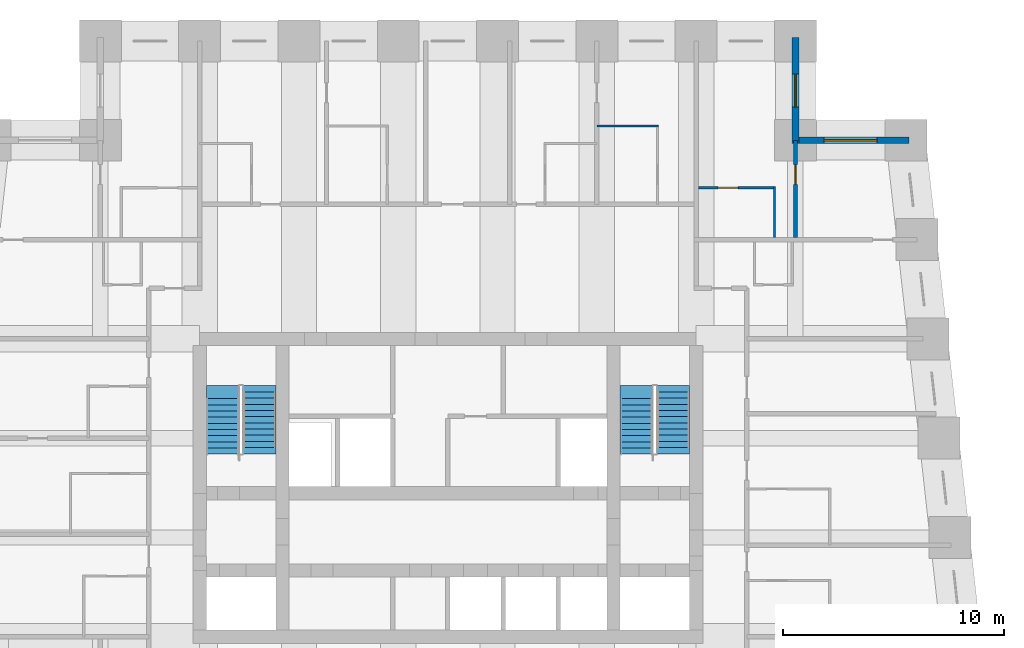
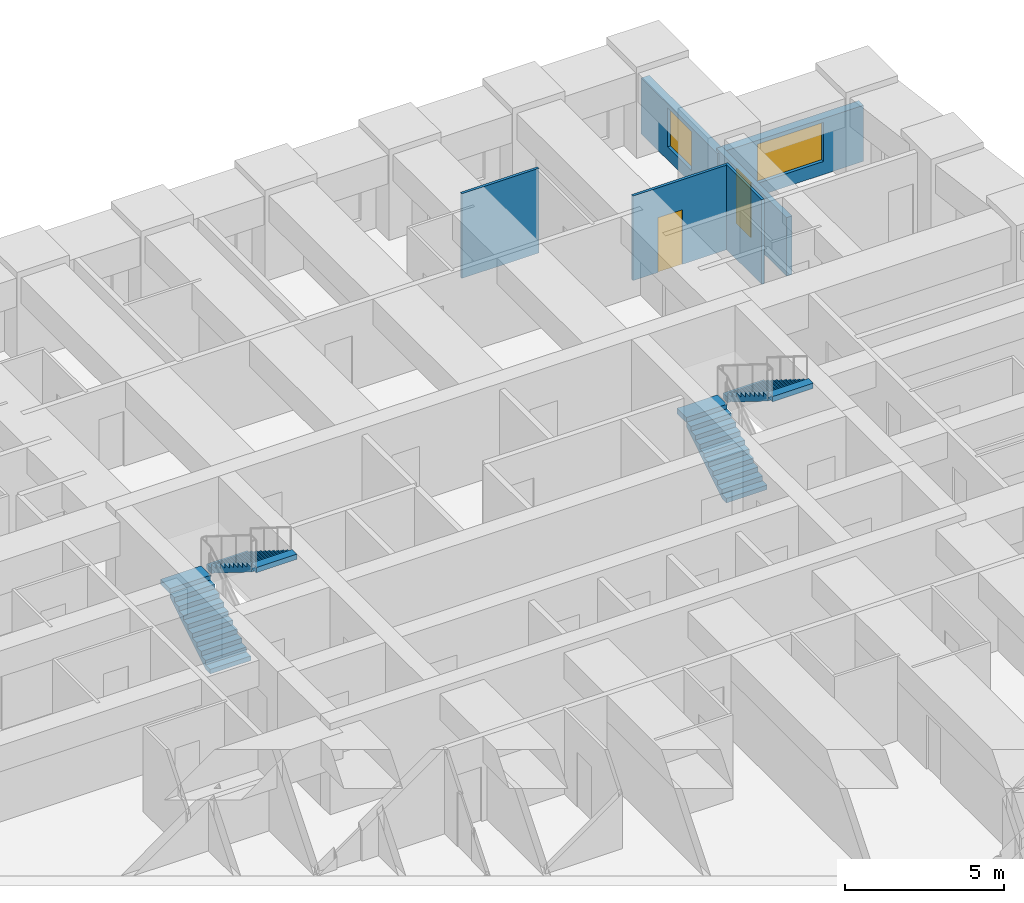
# One storey, part 7 of 8: 6 walls, 4 stair flights, 2 doors, 2 windows, 4 openings, 2 elements without a shape of their own.
"""IFC4 building model written with IfcOpenShell, lengths in metres."""

from ifc_helpers import new_model, si_unit, direction, frame, frame_2d, origin, place, context, subcontext, project, spatial, polyline, rectangle, outline, extrude, material, layer, layer_set, type_object, element, fill, aggregate, save


model = new_model("IFC4")

# Units and contexts
model_context = context("Model", 3, precision=1e-05, world=origin(), true_north=direction((0.0, 1.0)))
body_context = subcontext(model_context, "Body", "Model", "MODEL_VIEW")
ifc_project = project(units=[si_unit("LENGTHUNIT", "METRE"), si_unit("AREAUNIT", "SQUARE_METRE"), si_unit("VOLUMEUNIT", "CUBIC_METRE"), si_unit("PLANEANGLEUNIT", "RADIAN"), si_unit("MASSUNIT", "GRAM", prefix="KILO")], contexts=[model_context])

# Site, building, storey
site_placement = place(None, origin())
site = spatial("IfcSite", under=ifc_project, at=site_placement, CompositionType="ELEMENT")
building_placement = place(site_placement, origin())
building = spatial("IfcBuilding", under=site, at=building_placement, Name="Kilele Tower Hotel", CompositionType="ELEMENT")
storey_placement = place(building_placement, frame((0.0, 0.0, 117.89990234375)))
storey = spatial("IfcBuildingStorey", under=building, at=storey_placement, Name="L30", CompositionType="ELEMENT", Elevation=117.89990234375)

# Walls
ifc_material_1 = material(Name="Moisture-resistant board")
ifc_layer_1 = layer(ifc_material_1, 0.10009765625)
ifc_layer_set_1 = layer_set([ifc_layer_1], Name="Moisture-resistant board")
wall_type_1 = type_object("IfcWallType", Name="Bathroom partition 100", PredefinedType="PLUMBINGWALL", material=ifc_layer_set_1)
wall_1_placement = place(storey_placement, frame((31.5, 36.64990234375, 0.0), z_axis=(0.0, 0.0, 1.0), x_axis=(1.0, 0.0, 0.0)))
element("IfcWall", 1, at=wall_1_placement, inside=storey, type_object=wall_type_1, Name="Bathroom partition 100 L30", PredefinedType="PLUMBINGWALL", context=body_context, shape_type="SweptSolid", body=[
    extrude(rectangle(XDim=2.800048828125, YDim=0.10009765625, at=frame_2d((1.39990234375, 0.0))), origin(), (0.0, 0.0, 1.0), 3.25),
])
wall_2_placement = place(storey_placement, frame((39.550048828125, 31.60009765625, 0.0), z_axis=(0.0, 0.0, 1.0), x_axis=(0.0, 1.0, 0.0)))
element("IfcWall", 2, at=wall_2_placement, inside=storey, type_object=wall_type_1, Name="Bathroom partition 100 L30", PredefinedType="PLUMBINGWALL", context=body_context, shape_type="SweptSolid", body=[
    extrude(rectangle(XDim=2.2998046875, YDim=0.10009765625, at=frame_2d((1.14990234375, 0.0))), origin(), (0.0, 0.0, 1.0), 3.25),
])

# Wall, opening, door
wall_3_placement = place(storey_placement, frame((36.10009765625, 33.85009765625, 0.0), z_axis=(0.0, 0.0, 1.0), x_axis=(1.0, 0.0, 0.0)))
wall_3 = element("IfcWall", 3, at=wall_3_placement, inside=storey, type_object=wall_type_1, Name="Bathroom partition 100 L30", PredefinedType="PLUMBINGWALL", context=body_context, shape_type="SweptSolid", body=[
    extrude(rectangle(XDim=3.5, YDim=0.10009765625, at=frame_2d((1.75, 0.0))), origin(), (0.0, 0.0, 1.0), 3.25),
])
opening_1_placement = place(wall_3_placement, frame((0.89990234375, 0.0, 0.0)))
opening_1 = element("IfcOpeningElement", 4, at=opening_1_placement, cuts=wall_3, Name="Opening D2A", PredefinedType="OPENING", context=body_context, shape_type="SweptSolid", body=[
    extrude(rectangle(XDim=0.89990234375, YDim=2.10009765625, at=frame_2d((0.449951171875, 1.050048828125))), frame((0.0, 0.06005859375, 0.0), z_axis=(0.0, -1.0, 0.0), x_axis=(1.0, 0.0, 0.0)), (0.0, 0.0, 1.0), 0.1201171875),
])
ifc_material_2 = material(Name="Timber door leaf in hardwood frame", Category="wood")
door_type_1 = type_object("IfcDoorType", Name="Bathroom door 900", OperationType="SINGLE_SWING_LEFT", PredefinedType="DOOR", material=ifc_material_2)
door_1_placement = place(opening_1_placement, origin())
door_1 = element("IfcDoor", 5, at=door_1_placement, inside=storey, type_object=door_type_1, Name="Bathroom door 3024B", OperationType="SINGLE_SWING_LEFT", OverallHeight=2.10009765625, OverallWidth=0.89990234375, PredefinedType="DOOR", context=body_context, shape_type="SweptSolid", body=[
    extrude(rectangle(XDim=0.89990234375, YDim=2.10009765625, at=frame_2d((0.449951171875, 1.050048828125))), frame((0.0, 0.02490234375, 0.0), z_axis=(0.0, -1.0, 0.0), x_axis=(1.0, 0.0, 0.0)), (0.0, 0.0, 1.0), 0.050048828125),
])
fill(opening_1, door_1)

ifc_material_3 = material(Name="Blockwork, plastered both sides", Category="masonry")
ifc_layer_2 = layer(ifc_material_3, 0.199951171875)
ifc_layer_set_2 = layer_set([ifc_layer_2], Name="Blockwork, plastered both sides")
wall_type_2 = type_object("IfcWallType", Name="Partition wall 200", PredefinedType="PARTITIONING", material=ifc_layer_set_2)
wall_4_placement = place(storey_placement, frame((40.5, 31.60009765625, 0.0), z_axis=(0.0, 0.0, 1.0), x_axis=(0.0, 1.0, 0.0)))
wall_4 = element("IfcWall", 6, at=wall_4_placement, inside=storey, type_object=wall_type_2, Name="Partition wall 200 L30", PredefinedType="PARTITIONING", context=body_context, shape_type="SweptSolid", body=[
    extrude(rectangle(XDim=4.39990234375, YDim=0.199951171875, at=frame_2d((2.199951171875, 0.0))), origin(), (0.0, 0.0, 1.0), 2.25),
])
opening_2_placement = place(wall_4_placement, frame((2.39990234375, 0.0, 0.0)))
opening_2 = element("IfcOpeningElement", 7, at=opening_2_placement, cuts=wall_4, Name="Opening D3", PredefinedType="OPENING", context=body_context, shape_type="SweptSolid", body=[
    extrude(rectangle(XDim=0.89990234375, YDim=2.10009765625, at=frame_2d((0.449951171875, 1.050048828125))), frame((0.0, 0.10986328125, 0.0), z_axis=(0.0, -1.0, 0.0), x_axis=(1.0, 0.0, 0.0)), (0.0, 0.0, 1.0), 0.219970703125),
])
ifc_material_4 = material(Name="Timber door leaf in hardwood frame", Category="wood")
door_type_2 = type_object("IfcDoorType", Name="Suite internal door 900", OperationType="SINGLE_SWING_LEFT", PredefinedType="DOOR", material=ifc_material_4)
door_2_placement = place(opening_2_placement, origin())
door_2 = element("IfcDoor", 8, at=door_2_placement, inside=storey, type_object=door_type_2, Name="Suite door 3025", OperationType="SINGLE_SWING_LEFT", OverallHeight=2.10009765625, OverallWidth=0.89990234375, PredefinedType="DOOR", context=body_context, shape_type="SweptSolid", body=[
    extrude(rectangle(XDim=0.89990234375, YDim=2.10009765625, at=frame_2d((0.449951171875, 1.050048828125))), frame((0.0, 0.02490234375, 0.0), z_axis=(0.0, -1.0, 0.0), x_axis=(1.0, 0.0, 0.0)), (0.0, 0.0, 1.0), 0.050048828125),
])
fill(opening_2, door_2)

# Wall, opening, window
ifc_material_5 = material(Name="Concrete C40/50 precast", Category="concrete")
ifc_layer_3 = layer(ifc_material_5, 0.260009765625, Name="Precast backing", Category="LoadBearing")
ifc_material_6 = material(Name="Reconstituted stone finish", Category="masonry")
ifc_layer_4 = layer(ifc_material_6, 0.0400390625, Name="Face mix", Category="Finish")
ifc_layer_set_3 = layer_set([ifc_layer_3, ifc_layer_4], Name="Precast concrete C40/50, reconstituted stone finish")
wall_type_3 = type_object("IfcWallType", Name="Precast stone facade wall 300", PredefinedType="STANDARD", material=ifc_layer_set_3)
wall_5_placement = place(storey_placement, frame((45.64990234375, 36.0, 0.0), z_axis=(0.0, 0.0, 1.0), x_axis=(-1.0, 0.0, 0.0)))
wall_5 = element("IfcWall", 9, at=wall_5_placement, inside=storey, type_object=wall_type_3, Name="Facade wall L30 edge 7", PredefinedType="STANDARD", context=body_context, shape_type="SweptSolid", body=[
    extrude(rectangle(XDim=5.2998046875, YDim=0.300048828125, at=frame_2d((2.64990234375, 0.0))), origin(), (0.0, 0.0, 1.0), 2.150146484375),
])
opening_3_placement = place(wall_5_placement, frame((1.449951171875, 0.0, 0.5)))
opening_3 = element("IfcOpeningElement", 10, at=opening_3_placement, cuts=wall_5, Name="Opening W2", PredefinedType="OPENING", context=body_context, shape_type="SweptSolid", body=[
    extrude(rectangle(XDim=2.39990234375, YDim=1.5, at=frame_2d((1.199951171875, 0.75))), frame((0.0, 0.159912109375, 0.0), z_axis=(0.0, -1.0, 0.0), x_axis=(1.0, 0.0, 0.0)), (0.0, 0.0, 1.0), 0.320068359375),
])
ifc_material_7 = material(Name="Aluminium frame, clear double glazing", Category="aluminium")
window_type_1 = type_object("IfcWindowType", Name="Window W2 2400 x 1500", PartitioningType="SINGLE_PANEL", PredefinedType="WINDOW", material=ifc_material_7)
window_1_placement = place(opening_3_placement, origin())
window_1 = element("IfcWindow", 11, at=window_1_placement, inside=storey, type_object=window_type_1, Name="Window L30", OverallHeight=1.5, OverallWidth=2.39990234375, PartitioningType="SINGLE_PANEL", PredefinedType="WINDOW", context=body_context, shape_type="SweptSolid", body=[
    extrude(rectangle(XDim=2.39990234375, YDim=1.5, at=frame_2d((1.199951171875, 0.75))), frame((0.0, 0.030029296875, 0.0), z_axis=(0.0, -1.0, 0.0), x_axis=(1.0, 0.0, 0.0)), (0.0, 0.0, 1.0), 0.06005859375),
])
fill(opening_3, window_1)

wall_6_placement = place(storey_placement, frame((40.5, 35.85009765625, 0.0), z_axis=(0.0, 0.0, 1.0), x_axis=(0.0, 1.0, 0.0)))
wall_6 = element("IfcWall", 12, at=wall_6_placement, inside=storey, type_object=wall_type_3, Name="Facade wall L30 edge 8", PredefinedType="STANDARD", context=body_context, shape_type="SweptSolid", body=[
    extrude(rectangle(XDim=4.7998046875, YDim=0.300048828125, at=frame_2d((2.39990234375, 0.0))), origin(), (0.0, 0.0, 1.0), 2.150146484375),
])
opening_4_placement = place(wall_6_placement, frame((1.64990234375, 0.0, 0.5)))
opening_4 = element("IfcOpeningElement", 13, at=opening_4_placement, cuts=wall_6, Name="Opening W2", PredefinedType="OPENING", context=body_context, shape_type="SweptSolid", body=[
    extrude(rectangle(XDim=1.5, YDim=1.5, at=frame_2d((0.75, 0.75))), frame((0.0, 0.159912109375, 0.0), z_axis=(0.0, -1.0, 0.0), x_axis=(1.0, 0.0, 0.0)), (0.0, 0.0, 1.0), 0.320068359375),
])
ifc_material_8 = material(Name="Aluminium frame, clear double glazing", Category="aluminium")
window_type_2 = type_object("IfcWindowType", Name="Window W2 1500 x 1500", PartitioningType="SINGLE_PANEL", PredefinedType="WINDOW", material=ifc_material_8)
window_2_placement = place(opening_4_placement, origin())
window_2 = element("IfcWindow", 14, at=window_2_placement, inside=storey, type_object=window_type_2, Name="Window L30", OverallHeight=1.5, OverallWidth=1.5, PartitioningType="SINGLE_PANEL", PredefinedType="WINDOW", context=body_context, shape_type="SweptSolid", body=[
    extrude(rectangle(XDim=1.5, YDim=1.5, at=frame_2d((0.75, 0.75))), frame((0.0, 0.030029296875, 0.0), z_axis=(0.0, -1.0, 0.0), x_axis=(1.0, 0.0, 0.0)), (0.0, 0.0, 1.0), 0.06005859375),
])
fill(opening_4, window_2)

# Stair, stair flights
ifc_material_9 = material(Name="Precast concrete C40/50", Category="concrete")
stair_type = type_object("IfcStairType", Name="Stair 1475 x 3500", PredefinedType="HALF_TURN_STAIR", material=ifc_material_9)
stair_1_placement = place(storey_placement, origin())
stair_1 = element("IfcStair", 15, at=stair_1_placement, inside=storey, type_object=stair_type, Name="Stair 1 L30", PredefinedType="HALF_TURN_STAIR")
ifc_material_10 = material(Name="Precast concrete C40/50", Category="concrete")
stair_flight_type = type_object("IfcStairFlightType", Name="Flight 1475 riser 175.0", PredefinedType="STRAIGHT", material=ifc_material_10)
stair_flight_1_placement = place(storey_placement, frame((14.53759765625, 21.77490234375, 0.0), z_axis=(0.0, 0.0, 1.0), x_axis=(0.0, 1.0, 0.0)))
stair_flight_1 = element("IfcStairFlight", 16, at=stair_flight_1_placement, type_object=stair_flight_type, Name="ST1 flight 1", NumberOfRisers=10, NumberOfTreads=9, PredefinedType="STRAIGHT", RiserHeight=0.175, TreadLength=0.28, context=body_context, shape_type="SweptSolid", body=[
    extrude(outline(polyline([(0.0, 0.0), (0.0, 0.175048828125), (0.280029296875, 0.175048828125), (0.280029296875, 0.35009765625), (0.56005859375, 0.35009765625), (0.56005859375, 0.52490234375), (0.840087890625, 0.52490234375), (0.840087890625, 0.699951171875), (1.1201171875, 0.699951171875), (1.1201171875, 0.875), (1.39990234375, 0.875), (1.39990234375, 1.050048828125), (1.679931640625, 1.050048828125), (1.679931640625, 1.22509765625), (1.9599609375, 1.22509765625), (1.9599609375, 1.39990234375), (2.239990234375, 1.39990234375), (2.239990234375, 1.574951171875), (2.52001953125, 1.574951171875), (2.52001953125, 1.75), (2.52001953125, 1.398193359375), (0.28271484375, 0.0), (0.0, 0.0)])), frame((0.0, 0.737548828125, 0.0), z_axis=(0.0, -1.0, 0.0), x_axis=(1.0, 0.0, 0.0)), (0.0, 0.0, 1.0), 1.47509765625),
    extrude(outline(polyline([(2.52001953125, 0.737548828125), (2.52001953125, -0.7373046875), (3.1201171875, -0.7373046875), (3.1201171875, 0.737548828125), (2.52001953125, 0.737548828125)])), frame((0.0, 0.0, 1.550048828125)), (0.0, 0.0, 1.0), 0.199951171875),
])
stair_flight_2_placement = place(storey_placement, frame((16.21240234375, 24.594970703125, 1.75), z_axis=(0.0, 0.0, 1.0), x_axis=(0.0, -1.0, 0.0)))
stair_flight_2 = element("IfcStairFlight", 17, at=stair_flight_2_placement, type_object=stair_flight_type, Name="ST1 flight 2", NumberOfRisers=10, NumberOfTreads=9, PredefinedType="STRAIGHT", RiserHeight=0.175, TreadLength=0.28, context=body_context, shape_type="SweptSolid", body=[
    extrude(outline(polyline([(0.0, 0.0), (0.0, 0.175048828125), (0.280029296875, 0.175048828125), (0.280029296875, 0.35009765625), (0.56005859375, 0.35009765625), (0.56005859375, 0.52490234375), (0.840087890625, 0.52490234375), (0.840087890625, 0.699951171875), (1.1201171875, 0.699951171875), (1.1201171875, 0.875), (1.39990234375, 0.875), (1.39990234375, 1.050048828125), (1.679931640625, 1.050048828125), (1.679931640625, 1.22509765625), (1.9599609375, 1.22509765625), (1.9599609375, 1.39990234375), (2.239990234375, 1.39990234375), (2.239990234375, 1.574951171875), (2.52001953125, 1.574951171875), (2.52001953125, 1.75), (2.52001953125, 1.398193359375), (0.28271484375, 0.0), (0.0, 0.0)])), frame((0.0, 0.737548828125, 0.0), z_axis=(0.0, -1.0, 0.0), x_axis=(1.0, 0.0, 0.0)), (0.0, 0.0, 1.0), 1.47509765625),
    extrude(outline(polyline([(0.0, -0.7373046875), (0.0, 0.737548828125), (-0.300048828125, 0.737548828125), (-0.300048828125, -0.7373046875), (0.0, -0.7373046875)])), frame((0.0, 0.0, -0.199951171875)), (0.0, 0.0, 1.0), 0.199951171875),
    extrude(outline(polyline([(2.820068359375, -0.7373046875), (2.820068359375, 0.737548828125), (2.52001953125, 0.737548828125), (2.52001953125, -0.7373046875), (2.820068359375, -0.7373046875)])), frame((0.0, 0.0, 1.550048828125)), (0.0, 0.0, 1.0), 0.199951171875),
])
aggregate(stair_1, [stair_flight_1, stair_flight_2])

stair_2_placement = place(storey_placement, origin())
stair_2 = element("IfcStair", 18, at=stair_2_placement, inside=storey, type_object=stair_type, Name="Stair 2 L30", PredefinedType="HALF_TURN_STAIR")
stair_flight_3_placement = place(storey_placement, frame((33.28759765625, 21.77490234375, 0.0), z_axis=(0.0, 0.0, 1.0), x_axis=(0.0, 1.0, 0.0)))
stair_flight_3 = element("IfcStairFlight", 19, at=stair_flight_3_placement, type_object=stair_flight_type, Name="ST2 flight 1", NumberOfRisers=10, NumberOfTreads=9, PredefinedType="STRAIGHT", RiserHeight=0.175, TreadLength=0.28, context=body_context, shape_type="SweptSolid", body=[
    extrude(outline(polyline([(0.0, 0.0), (0.0, 0.175048828125), (0.280029296875, 0.175048828125), (0.280029296875, 0.35009765625), (0.56005859375, 0.35009765625), (0.56005859375, 0.52490234375), (0.840087890625, 0.52490234375), (0.840087890625, 0.699951171875), (1.1201171875, 0.699951171875), (1.1201171875, 0.875), (1.39990234375, 0.875), (1.39990234375, 1.050048828125), (1.679931640625, 1.050048828125), (1.679931640625, 1.22509765625), (1.9599609375, 1.22509765625), (1.9599609375, 1.39990234375), (2.239990234375, 1.39990234375), (2.239990234375, 1.574951171875), (2.52001953125, 1.574951171875), (2.52001953125, 1.75), (2.52001953125, 1.398193359375), (0.28271484375, 0.0), (0.0, 0.0)])), frame((0.0, 0.737548828125, 0.0), z_axis=(0.0, -1.0, 0.0), x_axis=(1.0, 0.0, 0.0)), (0.0, 0.0, 1.0), 1.47509765625),
    extrude(outline(polyline([(2.52001953125, 0.737548828125), (2.52001953125, -0.7373046875), (3.1201171875, -0.7373046875), (3.1201171875, 0.737548828125), (2.52001953125, 0.737548828125)])), frame((0.0, 0.0, 1.550048828125)), (0.0, 0.0, 1.0), 0.199951171875),
])
stair_flight_4_placement = place(storey_placement, frame((34.96240234375, 24.594970703125, 1.75), z_axis=(0.0, 0.0, 1.0), x_axis=(0.0, -1.0, 0.0)))
stair_flight_4 = element("IfcStairFlight", 20, at=stair_flight_4_placement, type_object=stair_flight_type, Name="ST2 flight 2", NumberOfRisers=10, NumberOfTreads=9, PredefinedType="STRAIGHT", RiserHeight=0.175, TreadLength=0.28, context=body_context, shape_type="SweptSolid", body=[
    extrude(outline(polyline([(0.0, 0.0), (0.0, 0.175048828125), (0.280029296875, 0.175048828125), (0.280029296875, 0.35009765625), (0.56005859375, 0.35009765625), (0.56005859375, 0.52490234375), (0.840087890625, 0.52490234375), (0.840087890625, 0.699951171875), (1.1201171875, 0.699951171875), (1.1201171875, 0.875), (1.39990234375, 0.875), (1.39990234375, 1.050048828125), (1.679931640625, 1.050048828125), (1.679931640625, 1.22509765625), (1.9599609375, 1.22509765625), (1.9599609375, 1.39990234375), (2.239990234375, 1.39990234375), (2.239990234375, 1.574951171875), (2.52001953125, 1.574951171875), (2.52001953125, 1.75), (2.52001953125, 1.398193359375), (0.28271484375, 0.0), (0.0, 0.0)])), frame((0.0, 0.737548828125, 0.0), z_axis=(0.0, -1.0, 0.0), x_axis=(1.0, 0.0, 0.0)), (0.0, 0.0, 1.0), 1.47509765625),
    extrude(outline(polyline([(0.0, -0.7373046875), (0.0, 0.737548828125), (-0.300048828125, 0.737548828125), (-0.300048828125, -0.7373046875), (0.0, -0.7373046875)])), frame((0.0, 0.0, -0.199951171875)), (0.0, 0.0, 1.0), 0.199951171875),
    extrude(outline(polyline([(2.820068359375, -0.7373046875), (2.820068359375, 0.737548828125), (2.52001953125, 0.737548828125), (2.52001953125, -0.7373046875), (2.820068359375, -0.7373046875)])), frame((0.0, 0.0, 1.550048828125)), (0.0, 0.0, 1.0), 0.199951171875),
])
aggregate(stair_2, [stair_flight_3, stair_flight_4])

save(model, "model.ifc")
